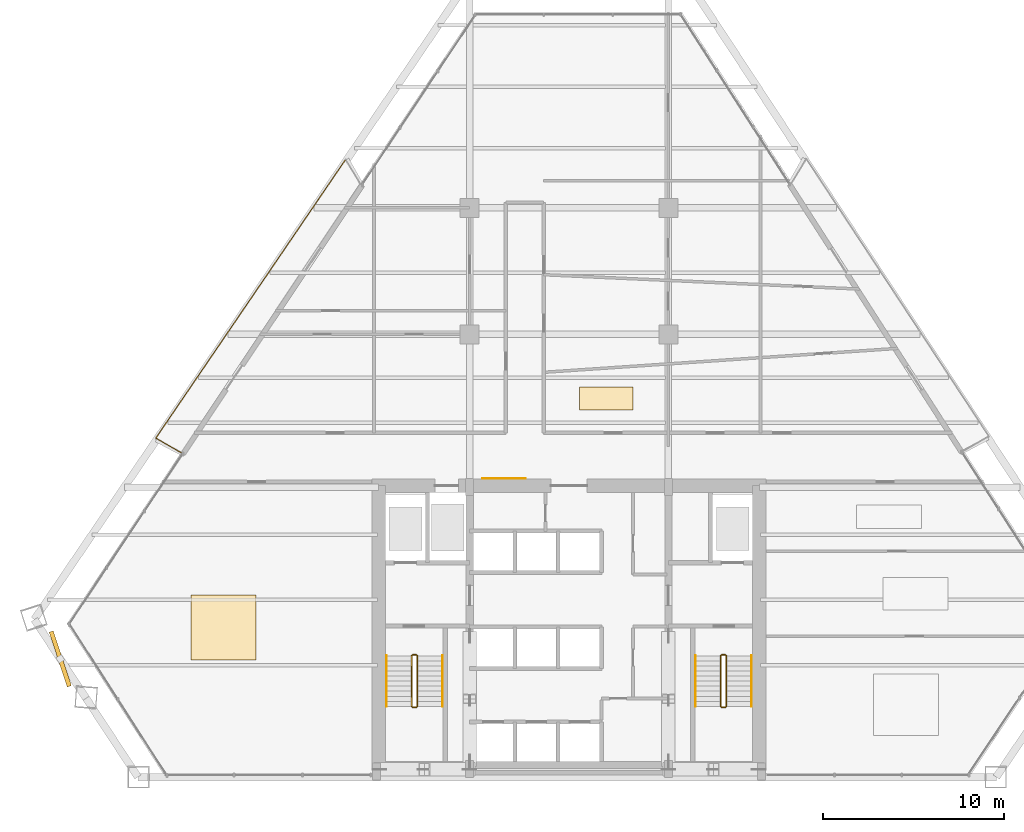
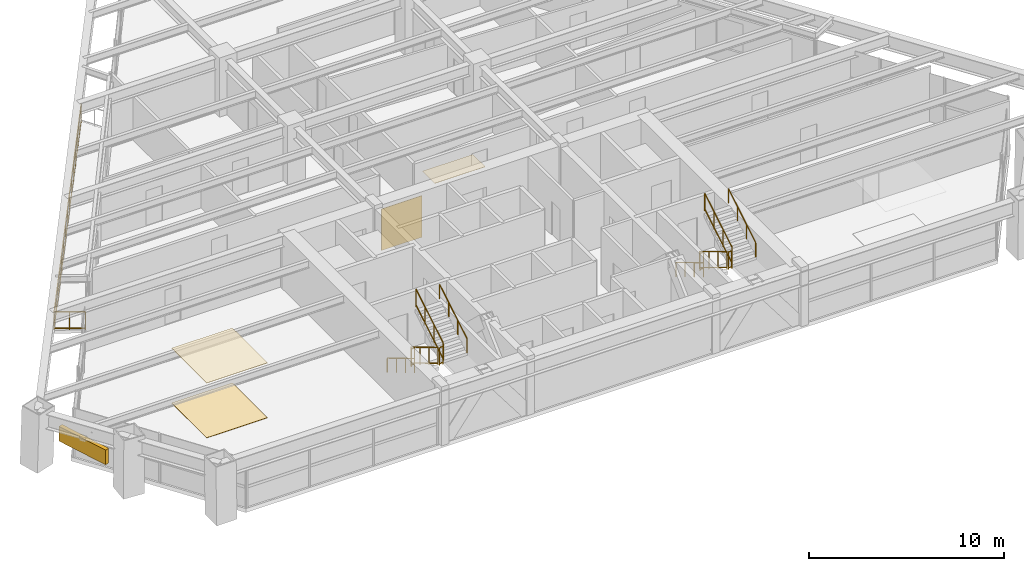
# One storey, part 13 of 15: 14 railings, 4 coverings, 1 shading device.
"""IFC4 building model written with IfcOpenShell, lengths in metres."""

from ifc_helpers import new_model, si_unit, direction, frame, origin, origin_2d, place, context, subcontext, project, spatial, rectangle, extrude, source, transform, mapped, material, layer, layer_set, type_object, type_shapes, element, save


model = new_model("IFC4")

# Units and contexts
model_context = context("Model", 3, precision=1e-05, world=origin(), true_north=direction((0.0, 1.0)))
body_context = subcontext(model_context, "Body", "Model", "MODEL_VIEW")
ifc_project = project(units=[si_unit("LENGTHUNIT", "METRE"), si_unit("AREAUNIT", "SQUARE_METRE"), si_unit("VOLUMEUNIT", "CUBIC_METRE"), si_unit("PLANEANGLEUNIT", "RADIAN"), si_unit("MASSUNIT", "GRAM", prefix="KILO")], contexts=[model_context])

# Site, building, storey
site_placement = place(None, origin())
site = spatial("IfcSite", under=ifc_project, at=site_placement, CompositionType="ELEMENT")
building_placement = place(site_placement, origin())
building = spatial("IfcBuilding", under=site, at=building_placement, Name="Varnakhor Terracotta Tower", CompositionType="ELEMENT")
storey_placement = place(building_placement, frame((0.0, 0.0, 109.89990234375)))
storey = spatial("IfcBuildingStorey", under=building, at=storey_placement, Name="L27", CompositionType="ELEMENT", Elevation=109.89990234375)

# Railings
ifc_material_1 = material(Name="Stainless Steel & Laminated Glass Guardrail", Category="steel")
railing_type_1 = type_object("IfcRailingType", Name="RLG-LOGGIA-GUARD-1150", PredefinedType="GUARDRAIL", material=ifc_material_1)
railing_1_placement = place(storey_placement, frame((-21.47900390625, 17.956298828125, 0.0)))
element("IfcRailing", 1, at=railing_1_placement, inside=storey, type_object=railing_type_1, Name="L27 W Loggia Glass Guard 1", PredefinedType="GUARDRAIL", context=body_context, shape_type="SweptSolid", body=[
    extrude(rectangle(XDim=0.048095703125, YDim=0.048095703125, at=origin_2d()), frame((0.0, 0.0, 1.1259765625), z_axis=(-0.865901693181, 0.50021421186, 0.0), x_axis=(-0.50021421186, -0.865901693181, 0.0)), (0.0, 0.0, 1.0), 1.604248046875),
    extrude(rectangle(XDim=0.048095703125, YDim=0.048095703125, at=origin_2d()), frame((0.0, 0.0, 0.10009765625), z_axis=(-0.865901693181, 0.50021421186, 0.0), x_axis=(-0.50021421186, -0.865901693181, 0.0)), (0.0, 0.0, 1.0), 1.604248046875),
    extrude(rectangle(XDim=0.0419921875, YDim=0.0419921875, at=origin_2d()), origin(), (0.0, 0.0, 1.0), 1.101806640625),
    extrude(rectangle(XDim=0.0419921875, YDim=0.0419921875, at=origin_2d()), frame((-0.694580078125, 0.4013671875, 0.0)), (0.0, 0.0, 1.0), 1.101806640625),
    extrude(rectangle(XDim=0.0419921875, YDim=0.0419921875, at=origin_2d()), frame((-1.38916015625, 0.802490234375, 0.0)), (0.0, 0.0, 1.0), 1.101806640625),
])
railing_2_placement = place(storey_placement, frame((-22.8681640625, 18.7587890625, 0.0)))
element("IfcRailing", 2, at=railing_2_placement, inside=storey, type_object=railing_type_1, Name="L27 W Loggia Glass Guard 2", PredefinedType="GUARDRAIL", context=body_context, shape_type="SweptSolid", body=[
    extrude(rectangle(XDim=0.048095703125, YDim=0.048095703125, at=origin_2d()), frame((0.0, 0.0, 1.1259765625), z_axis=(0.562995941136, 0.826459660398, 0.0), x_axis=(-0.826459660398, 0.562995941136, 0.0)), (0.0, 0.0, 1.0), 18.64794921875),
    extrude(rectangle(XDim=0.048095703125, YDim=0.048095703125, at=origin_2d()), frame((0.0, 0.0, 0.10009765625), z_axis=(0.562995941136, 0.826459660398, 0.0), x_axis=(-0.826459660398, 0.562995941136, 0.0)), (0.0, 0.0, 1.0), 18.64794921875),
    extrude(rectangle(XDim=0.0419921875, YDim=0.0419921875, at=origin_2d()), origin(), (0.0, 0.0, 1.0), 1.101806640625),
    extrude(rectangle(XDim=0.0419921875, YDim=0.0419921875, at=origin_2d()), frame((0.75, 1.100830078125, 0.0)), (0.0, 0.0, 1.0), 1.101806640625),
    extrude(rectangle(XDim=0.0419921875, YDim=0.0419921875, at=origin_2d()), frame((1.499755859375, 2.20166015625, 0.0)), (0.0, 0.0, 1.0), 1.101806640625),
    extrude(rectangle(XDim=0.0419921875, YDim=0.0419921875, at=origin_2d()), frame((2.249755859375, 3.302490234375, 0.0)), (0.0, 0.0, 1.0), 1.101806640625),
    extrude(rectangle(XDim=0.0419921875, YDim=0.0419921875, at=origin_2d()), frame((2.999755859375, 4.4033203125, 0.0)), (0.0, 0.0, 1.0), 1.101806640625),
    extrude(rectangle(XDim=0.0419921875, YDim=0.0419921875, at=origin_2d()), frame((3.74951171875, 5.504150390625, 0.0)), (0.0, 0.0, 1.0), 1.101806640625),
    extrude(rectangle(XDim=0.0419921875, YDim=0.0419921875, at=origin_2d()), frame((4.49951171875, 6.60498046875, 0.0)), (0.0, 0.0, 1.0), 1.101806640625),
    extrude(rectangle(XDim=0.0419921875, YDim=0.0419921875, at=origin_2d()), frame((5.24951171875, 7.7060546875, 0.0)), (0.0, 0.0, 1.0), 1.101806640625),
    extrude(rectangle(XDim=0.0419921875, YDim=0.0419921875, at=origin_2d()), frame((5.999267578125, 8.806884765625, 0.0)), (0.0, 0.0, 1.0), 1.101806640625),
    extrude(rectangle(XDim=0.0419921875, YDim=0.0419921875, at=origin_2d()), frame((6.749267578125, 9.90771484375, 0.0)), (0.0, 0.0, 1.0), 1.101806640625),
    extrude(rectangle(XDim=0.0419921875, YDim=0.0419921875, at=origin_2d()), frame((7.4990234375, 11.008544921875, 0.0)), (0.0, 0.0, 1.0), 1.101806640625),
    extrude(rectangle(XDim=0.0419921875, YDim=0.0419921875, at=origin_2d()), frame((8.2490234375, 12.109375, 0.0)), (0.0, 0.0, 1.0), 1.101806640625),
    extrude(rectangle(XDim=0.0419921875, YDim=0.0419921875, at=origin_2d()), frame((8.9990234375, 13.210205078125, 0.0)), (0.0, 0.0, 1.0), 1.101806640625),
    extrude(rectangle(XDim=0.0419921875, YDim=0.0419921875, at=origin_2d()), frame((9.748779296875, 14.31103515625, 0.0)), (0.0, 0.0, 1.0), 1.101806640625),
    extrude(rectangle(XDim=0.0419921875, YDim=0.0419921875, at=origin_2d()), frame((10.498779296875, 15.411865234375, 0.0)), (0.0, 0.0, 1.0), 1.101806640625),
])
ifc_material_2 = material(Name="Painted Steel Stairwell Guardrail", Category="steel")
railing_type_2 = type_object("IfcRailingType", Name="RLG-STAIR-GUARD-1120", PredefinedType="GUARDRAIL", material=ifc_material_2)
railing_3_placement = place(storey_placement, frame((-8.699951171875, 6.7099609375, 0.168212890625)))
element("IfcRailing", 3, at=railing_3_placement, inside=storey, type_object=railing_type_2, Name="L27 ST-1 stair guard 1", PredefinedType="GUARDRAIL", context=body_context, shape_type="SweptSolid", body=[
    extrude(rectangle(XDim=0.048095703125, YDim=0.048095703125, at=origin_2d()), frame((0.0, 0.0, 1.09619140625), z_axis=(0.0, -0.857242210791, 0.514913383045), x_axis=(1.0, 0.0, 0.0)), (0.0, 0.0, 1.0), 3.266357421875),
    extrude(rectangle(XDim=0.048095703125, YDim=0.048095703125, at=origin_2d()), frame((0.0, 0.0, 0.10009765625), z_axis=(0.0, -0.857242210791, 0.514913383045), x_axis=(1.0, 0.0, 0.0)), (0.0, 0.0, 1.0), 3.266357421875),
    extrude(rectangle(XDim=0.0419921875, YDim=0.0419921875, at=origin_2d()), origin(), (0.0, 0.0, 1.0), 1.072021484375),
    extrude(rectangle(XDim=0.0419921875, YDim=0.0419921875, at=origin_2d()), frame((0.0, -0.933349609375, 0.560546875)), (0.0, 0.0, 1.0), 1.072021484375),
    extrude(rectangle(XDim=0.0419921875, YDim=0.0419921875, at=origin_2d()), frame((0.0, -1.86669921875, 1.121337890625)), (0.0, 0.0, 1.0), 1.072021484375),
    extrude(rectangle(XDim=0.0419921875, YDim=0.0419921875, at=origin_2d()), frame((0.0, -2.800048828125, 1.681884765625)), (0.0, 0.0, 1.0), 1.072021484375),
])
railing_4_placement = place(storey_placement, frame((-8.64990234375, 3.860107421875, 1.85009765625)))
element("IfcRailing", 4, at=railing_4_placement, inside=storey, type_object=railing_type_2, Name="L27 ST-1 stair guard 2", PredefinedType="GUARDRAIL", context=body_context, shape_type="SweptSolid", body=[
    extrude(rectangle(XDim=0.048095703125, YDim=0.048095703125, at=origin_2d()), frame((0.0, 0.0, 1.09619140625), z_axis=(1.0, 0.0, 0.0), x_axis=(0.0, 1.0, 0.0)), (0.0, 0.0, 1.0), 0.199951171875),
    extrude(rectangle(XDim=0.048095703125, YDim=0.048095703125, at=origin_2d()), frame((0.0, 0.0, 0.10009765625), z_axis=(1.0, 0.0, 0.0), x_axis=(0.0, 1.0, 0.0)), (0.0, 0.0, 1.0), 0.199951171875),
    extrude(rectangle(XDim=0.0419921875, YDim=0.0419921875, at=origin_2d()), origin(), (0.0, 0.0, 1.0), 1.072021484375),
    extrude(rectangle(XDim=0.0419921875, YDim=0.0419921875, at=origin_2d()), frame((0.199951171875, 0.0, 0.0)), (0.0, 0.0, 1.0), 1.072021484375),
])
railing_5_placement = place(storey_placement, frame((-8.39990234375, 3.909912109375, 2.018310546875)))
element("IfcRailing", 5, at=railing_5_placement, inside=storey, type_object=railing_type_2, Name="L27 ST-1 stair guard 3", PredefinedType="GUARDRAIL", context=body_context, shape_type="SweptSolid", body=[
    extrude(rectangle(XDim=0.048095703125, YDim=0.048095703125, at=origin_2d()), frame((0.0, 0.0, 1.09619140625), z_axis=(0.0, 0.857242210791, 0.514913383045), x_axis=(-1.0, 0.0, 0.0)), (0.0, 0.0, 1.0), 3.266357421875),
    extrude(rectangle(XDim=0.048095703125, YDim=0.048095703125, at=origin_2d()), frame((0.0, 0.0, 0.10009765625), z_axis=(0.0, 0.857242210791, 0.514913383045), x_axis=(-1.0, 0.0, 0.0)), (0.0, 0.0, 1.0), 3.266357421875),
    extrude(rectangle(XDim=0.0419921875, YDim=0.0419921875, at=origin_2d()), origin(), (0.0, 0.0, 1.0), 1.072021484375),
    extrude(rectangle(XDim=0.0419921875, YDim=0.0419921875, at=origin_2d()), frame((0.0, 0.933349609375, 0.560546875)), (0.0, 0.0, 1.0), 1.072021484375),
    extrude(rectangle(XDim=0.0419921875, YDim=0.0419921875, at=origin_2d()), frame((0.0, 1.86669921875, 1.121337890625)), (0.0, 0.0, 1.0), 1.072021484375),
    extrude(rectangle(XDim=0.0419921875, YDim=0.0419921875, at=origin_2d()), frame((0.0, 2.800048828125, 1.681884765625)), (0.0, 0.0, 1.0), 1.072021484375),
])
railing_6_placement = place(storey_placement, frame((-8.64990234375, 6.760009765625, 0.0)))
element("IfcRailing", 6, at=railing_6_placement, inside=storey, type_object=railing_type_2, Name="L27 ST-1 stair guard 4", PredefinedType="GUARDRAIL", context=body_context, shape_type="SweptSolid", body=[
    extrude(rectangle(XDim=0.048095703125, YDim=0.048095703125, at=origin_2d()), frame((0.0, 0.0, 1.09619140625), z_axis=(1.0, 0.0, 0.0), x_axis=(0.0, 1.0, 0.0)), (0.0, 0.0, 1.0), 0.199951171875),
    extrude(rectangle(XDim=0.048095703125, YDim=0.048095703125, at=origin_2d()), frame((0.0, 0.0, 0.10009765625), z_axis=(1.0, 0.0, 0.0), x_axis=(0.0, 1.0, 0.0)), (0.0, 0.0, 1.0), 0.199951171875),
    extrude(rectangle(XDim=0.0419921875, YDim=0.0419921875, at=origin_2d()), origin(), (0.0, 0.0, 1.0), 1.072021484375),
    extrude(rectangle(XDim=0.0419921875, YDim=0.0419921875, at=origin_2d()), frame((0.199951171875, 0.0, 0.0)), (0.0, 0.0, 1.0), 1.072021484375),
])
railing_7_placement = place(storey_placement, frame((8.39990234375, 6.7099609375, 0.168212890625)))
element("IfcRailing", 7, at=railing_7_placement, inside=storey, type_object=railing_type_2, Name="L27 ST-2 stair guard 1", PredefinedType="GUARDRAIL", context=body_context, shape_type="SweptSolid", body=[
    extrude(rectangle(XDim=0.048095703125, YDim=0.048095703125, at=origin_2d()), frame((0.0, 0.0, 1.09619140625), z_axis=(0.0, -0.857242210791, 0.514913383045), x_axis=(1.0, 0.0, 0.0)), (0.0, 0.0, 1.0), 3.266357421875),
    extrude(rectangle(XDim=0.048095703125, YDim=0.048095703125, at=origin_2d()), frame((0.0, 0.0, 0.10009765625), z_axis=(0.0, -0.857242210791, 0.514913383045), x_axis=(1.0, 0.0, 0.0)), (0.0, 0.0, 1.0), 3.266357421875),
    extrude(rectangle(XDim=0.0419921875, YDim=0.0419921875, at=origin_2d()), origin(), (0.0, 0.0, 1.0), 1.072021484375),
    extrude(rectangle(XDim=0.0419921875, YDim=0.0419921875, at=origin_2d()), frame((0.0, -0.933349609375, 0.560546875)), (0.0, 0.0, 1.0), 1.072021484375),
    extrude(rectangle(XDim=0.0419921875, YDim=0.0419921875, at=origin_2d()), frame((0.0, -1.86669921875, 1.121337890625)), (0.0, 0.0, 1.0), 1.072021484375),
    extrude(rectangle(XDim=0.0419921875, YDim=0.0419921875, at=origin_2d()), frame((0.0, -2.800048828125, 1.681884765625)), (0.0, 0.0, 1.0), 1.072021484375),
])
railing_8_placement = place(storey_placement, frame((8.449951171875, 3.860107421875, 1.85009765625)))
element("IfcRailing", 8, at=railing_8_placement, inside=storey, type_object=railing_type_2, Name="L27 ST-2 stair guard 2", PredefinedType="GUARDRAIL", context=body_context, shape_type="SweptSolid", body=[
    extrude(rectangle(XDim=0.048095703125, YDim=0.048095703125, at=origin_2d()), frame((0.0, 0.0, 1.09619140625), z_axis=(1.0, 0.0, 0.0), x_axis=(0.0, 1.0, 0.0)), (0.0, 0.0, 1.0), 0.199951171875),
    extrude(rectangle(XDim=0.048095703125, YDim=0.048095703125, at=origin_2d()), frame((0.0, 0.0, 0.10009765625), z_axis=(1.0, 0.0, 0.0), x_axis=(0.0, 1.0, 0.0)), (0.0, 0.0, 1.0), 0.199951171875),
    extrude(rectangle(XDim=0.0419921875, YDim=0.0419921875, at=origin_2d()), origin(), (0.0, 0.0, 1.0), 1.072021484375),
    extrude(rectangle(XDim=0.0419921875, YDim=0.0419921875, at=origin_2d()), frame((0.199951171875, 0.0, 0.0)), (0.0, 0.0, 1.0), 1.072021484375),
])
railing_9_placement = place(storey_placement, frame((8.699951171875, 3.909912109375, 2.018310546875)))
element("IfcRailing", 9, at=railing_9_placement, inside=storey, type_object=railing_type_2, Name="L27 ST-2 stair guard 3", PredefinedType="GUARDRAIL", context=body_context, shape_type="SweptSolid", body=[
    extrude(rectangle(XDim=0.048095703125, YDim=0.048095703125, at=origin_2d()), frame((0.0, 0.0, 1.09619140625), z_axis=(0.0, 0.857242210791, 0.514913383045), x_axis=(-1.0, 0.0, 0.0)), (0.0, 0.0, 1.0), 3.266357421875),
    extrude(rectangle(XDim=0.048095703125, YDim=0.048095703125, at=origin_2d()), frame((0.0, 0.0, 0.10009765625), z_axis=(0.0, 0.857242210791, 0.514913383045), x_axis=(-1.0, 0.0, 0.0)), (0.0, 0.0, 1.0), 3.266357421875),
    extrude(rectangle(XDim=0.0419921875, YDim=0.0419921875, at=origin_2d()), origin(), (0.0, 0.0, 1.0), 1.072021484375),
    extrude(rectangle(XDim=0.0419921875, YDim=0.0419921875, at=origin_2d()), frame((0.0, 0.933349609375, 0.560546875)), (0.0, 0.0, 1.0), 1.072021484375),
    extrude(rectangle(XDim=0.0419921875, YDim=0.0419921875, at=origin_2d()), frame((0.0, 1.86669921875, 1.121337890625)), (0.0, 0.0, 1.0), 1.072021484375),
    extrude(rectangle(XDim=0.0419921875, YDim=0.0419921875, at=origin_2d()), frame((0.0, 2.800048828125, 1.681884765625)), (0.0, 0.0, 1.0), 1.072021484375),
])
railing_10_placement = place(storey_placement, frame((8.449951171875, 6.760009765625, 0.0)))
element("IfcRailing", 10, at=railing_10_placement, inside=storey, type_object=railing_type_2, Name="L27 ST-2 stair guard 4", PredefinedType="GUARDRAIL", context=body_context, shape_type="SweptSolid", body=[
    extrude(rectangle(XDim=0.048095703125, YDim=0.048095703125, at=origin_2d()), frame((0.0, 0.0, 1.09619140625), z_axis=(1.0, 0.0, 0.0), x_axis=(0.0, 1.0, 0.0)), (0.0, 0.0, 1.0), 0.199951171875),
    extrude(rectangle(XDim=0.048095703125, YDim=0.048095703125, at=origin_2d()), frame((0.0, 0.0, 0.10009765625), z_axis=(1.0, 0.0, 0.0), x_axis=(0.0, 1.0, 0.0)), (0.0, 0.0, 1.0), 0.199951171875),
    extrude(rectangle(XDim=0.0419921875, YDim=0.0419921875, at=origin_2d()), origin(), (0.0, 0.0, 1.0), 1.072021484375),
    extrude(rectangle(XDim=0.0419921875, YDim=0.0419921875, at=origin_2d()), frame((0.199951171875, 0.0, 0.0)), (0.0, 0.0, 1.0), 1.072021484375),
])
ifc_material_3 = material(Name="Brushed Stainless Steel Handrail", Category="steel")
railing_type_3 = type_object("IfcRailingType", Name="RLG-STAIR-HANDRAIL-920", PredefinedType="HANDRAIL", material=ifc_material_3)
railing_11_placement = place(storey_placement, frame((-10.10009765625, 6.7099609375, 0.168212890625)))
element("IfcRailing", 11, at=railing_11_placement, inside=storey, type_object=railing_type_3, Name="L27 ST-1 stair handrail 1", PredefinedType="HANDRAIL", context=body_context, shape_type="SweptSolid", body=[
    extrude(rectangle(XDim=0.048095703125, YDim=0.048095703125, at=origin_2d()), frame((0.0, 0.0, 0.89599609375), z_axis=(0.0, -0.857242210791, 0.514913383045), x_axis=(1.0, 0.0, 0.0)), (0.0, 0.0, 1.0), 3.266357421875),
    extrude(rectangle(XDim=0.0419921875, YDim=0.0419921875, at=origin_2d()), origin(), (0.0, 0.0, 1.0), 0.871826171875),
    extrude(rectangle(XDim=0.0419921875, YDim=0.0419921875, at=origin_2d()), frame((0.0, -0.933349609375, 0.560546875)), (0.0, 0.0, 1.0), 0.871826171875),
    extrude(rectangle(XDim=0.0419921875, YDim=0.0419921875, at=origin_2d()), frame((0.0, -1.86669921875, 1.121337890625)), (0.0, 0.0, 1.0), 0.871826171875),
    extrude(rectangle(XDim=0.0419921875, YDim=0.0419921875, at=origin_2d()), frame((0.0, -2.800048828125, 1.681884765625)), (0.0, 0.0, 1.0), 0.871826171875),
])
railing_12_placement = place(storey_placement, frame((-7.0, 3.909912109375, 2.018310546875)))
element("IfcRailing", 12, at=railing_12_placement, inside=storey, type_object=railing_type_3, Name="L27 ST-1 stair handrail 2", PredefinedType="HANDRAIL", context=body_context, shape_type="SweptSolid", body=[
    extrude(rectangle(XDim=0.048095703125, YDim=0.048095703125, at=origin_2d()), frame((0.0, 0.0, 0.89599609375), z_axis=(0.0, 0.857242210791, 0.514913383045), x_axis=(-1.0, 0.0, 0.0)), (0.0, 0.0, 1.0), 3.266357421875),
    extrude(rectangle(XDim=0.0419921875, YDim=0.0419921875, at=origin_2d()), origin(), (0.0, 0.0, 1.0), 0.871826171875),
    extrude(rectangle(XDim=0.0419921875, YDim=0.0419921875, at=origin_2d()), frame((0.0, 0.933349609375, 0.560546875)), (0.0, 0.0, 1.0), 0.871826171875),
    extrude(rectangle(XDim=0.0419921875, YDim=0.0419921875, at=origin_2d()), frame((0.0, 1.86669921875, 1.121337890625)), (0.0, 0.0, 1.0), 0.871826171875),
    extrude(rectangle(XDim=0.0419921875, YDim=0.0419921875, at=origin_2d()), frame((0.0, 2.800048828125, 1.681884765625)), (0.0, 0.0, 1.0), 0.871826171875),
])
railing_13_placement = place(storey_placement, frame((7.0, 6.7099609375, 0.168212890625)))
element("IfcRailing", 13, at=railing_13_placement, inside=storey, type_object=railing_type_3, Name="L27 ST-2 stair handrail 1", PredefinedType="HANDRAIL", context=body_context, shape_type="SweptSolid", body=[
    extrude(rectangle(XDim=0.048095703125, YDim=0.048095703125, at=origin_2d()), frame((0.0, 0.0, 0.89599609375), z_axis=(0.0, -0.857242210791, 0.514913383045), x_axis=(1.0, 0.0, 0.0)), (0.0, 0.0, 1.0), 3.266357421875),
    extrude(rectangle(XDim=0.0419921875, YDim=0.0419921875, at=origin_2d()), origin(), (0.0, 0.0, 1.0), 0.871826171875),
    extrude(rectangle(XDim=0.0419921875, YDim=0.0419921875, at=origin_2d()), frame((0.0, -0.933349609375, 0.560546875)), (0.0, 0.0, 1.0), 0.871826171875),
    extrude(rectangle(XDim=0.0419921875, YDim=0.0419921875, at=origin_2d()), frame((0.0, -1.86669921875, 1.121337890625)), (0.0, 0.0, 1.0), 0.871826171875),
    extrude(rectangle(XDim=0.0419921875, YDim=0.0419921875, at=origin_2d()), frame((0.0, -2.800048828125, 1.681884765625)), (0.0, 0.0, 1.0), 0.871826171875),
])
railing_14_placement = place(storey_placement, frame((10.10009765625, 3.909912109375, 2.018310546875)))
element("IfcRailing", 14, at=railing_14_placement, inside=storey, type_object=railing_type_3, Name="L27 ST-2 stair handrail 2", PredefinedType="HANDRAIL", context=body_context, shape_type="SweptSolid", body=[
    extrude(rectangle(XDim=0.048095703125, YDim=0.048095703125, at=origin_2d()), frame((0.0, 0.0, 0.89599609375), z_axis=(0.0, 0.857242210791, 0.514913383045), x_axis=(-1.0, 0.0, 0.0)), (0.0, 0.0, 1.0), 3.266357421875),
    extrude(rectangle(XDim=0.0419921875, YDim=0.0419921875, at=origin_2d()), origin(), (0.0, 0.0, 1.0), 0.871826171875),
    extrude(rectangle(XDim=0.0419921875, YDim=0.0419921875, at=origin_2d()), frame((0.0, 0.933349609375, 0.560546875)), (0.0, 0.0, 1.0), 0.871826171875),
    extrude(rectangle(XDim=0.0419921875, YDim=0.0419921875, at=origin_2d()), frame((0.0, 1.86669921875, 1.121337890625)), (0.0, 0.0, 1.0), 0.871826171875),
    extrude(rectangle(XDim=0.0419921875, YDim=0.0419921875, at=origin_2d()), frame((0.0, 2.800048828125, 1.681884765625)), (0.0, 0.0, 1.0), 0.871826171875),
])

# Shading device
ifc_material_4 = material(Name="Extruded Architectural Terracotta Screen", Category="masonry")
shading_device_type = type_object("IfcShadingDeviceType", Name="TERRACOTTA SOLAR SCREEN W", PredefinedType="USERDEFINED", material=ifc_material_4)
shared_shape_1 = source(origin(), body_context, "Body", "SweptSolid", [
    extrude(rectangle(XDim=3.199951171875, YDim=0.239990234375, at=origin_2d()), origin(), (0.0, 0.0, 1.0), 0.919921875),
])
type_shapes(shading_device_type, [shared_shape_1])
shading_device_placement = place(storey_placement, frame((-28.15771484375, 6.5390625, 1.6181640625), z_axis=(0.0, 0.0, 1.0), x_axis=(0.314224435, -0.949348726469, 0.0)))
element("IfcShadingDevice", 15, at=shading_device_placement, inside=storey, type_object=shading_device_type, Name="L27 W Terracotta Solar Screen", ObjectType="SCREEN", PredefinedType="USERDEFINED", context=body_context, shape_type="MappedRepresentation", body=[
    mapped(shared_shape_1, transform((0.0, 0.0, 0.0), scale=1.0)),
])

# Coverings
ifc_material_5 = material(Name="Extruded Architectural Terracotta Cladding", Category="masonry")
ifc_layer_1 = layer(ifc_material_5, 0.044921875, Name="Extruded Architectural Terracotta Cladding")
ifc_layer_set_1 = layer_set([ifc_layer_1], Name="Extruded Architectural Terracotta Cladding")
covering_type_1 = type_object("IfcCoveringType", Name="COV-CLAD-TERRACOTTA", PredefinedType="CLADDING", material=ifc_layer_set_1)
shared_shape_2 = source(origin(), body_context, "Body", "SweptSolid", [
    extrude(rectangle(XDim=2.39990234375, YDim=0.030029296875, at=origin_2d()), origin(), (0.0, 0.0, 1.0), 2.60009765625),
])
type_shapes(covering_type_1, [shared_shape_2])
covering_1_placement = place(storey_placement, frame((-3.60009765625, 16.511962890625, 0.0), z_axis=(0.0, 0.0, 1.0), x_axis=(1.0, 0.0, 0.0)))
element("IfcCovering", 16, at=covering_1_placement, inside=storey, type_object=covering_type_1, Name="L27 Core Lobby Limestone Cladding", PredefinedType="CLADDING", context=body_context, shape_type="MappedRepresentation", body=[
    mapped(shared_shape_2, transform((0.0, 0.0, 0.0), scale=1.0)),
])
ifc_material_6 = material(Name="Honed Riyadh Limestone Flooring", Category="masonry")
ifc_layer_2 = layer(ifc_material_6, 0.030029296875, Name="Honed Riyadh Limestone Flooring")
ifc_layer_set_2 = layer_set([ifc_layer_2], Name="Honed Riyadh Limestone Flooring")
covering_type_2 = type_object("IfcCoveringType", Name="COV-FLOOR-LIMESTONE", PredefinedType="FLOORING", material=ifc_layer_set_2)
shared_shape_3 = source(origin(), body_context, "Body", "SweptSolid", [
    extrude(rectangle(XDim=3.60009765625, YDim=3.60009765625, at=origin_2d()), origin(), (0.0, 0.0, 1.0), 0.02001953125),
])
covering_2_placement = place(storey_placement, frame((-19.126953125, 8.26611328125, 0.0), z_axis=(0.0, 0.0, 1.0), x_axis=(1.0, 0.0, 0.0)))
element("IfcCovering", 17, at=covering_2_placement, inside=storey, type_object=covering_type_2, Name="L27 Honed Stone Flooring 2", PredefinedType="FLOORING", context=body_context, shape_type="MappedRepresentation", body=[
    mapped(shared_shape_3, transform((0.0, 0.0, 0.0), scale=1.0)),
])
ifc_material_7 = material(Name="Perforated Acoustic Mineral-Fibre Ceiling", Category="gypsum")
ifc_layer_3 = layer(ifc_material_7, 0.02490234375, Name="Perforated Acoustic Mineral-Fibre Ceiling")
ifc_layer_set_3 = layer_set([ifc_layer_3], Name="Perforated Acoustic Mineral-Fibre Ceiling")
covering_type_3 = type_object("IfcCoveringType", Name="COV-CEILING-ACOUSTIC", PredefinedType="CEILING", material=ifc_layer_set_3)
shared_shape_4 = source(origin(), body_context, "Body", "SweptSolid", [
    extrude(rectangle(XDim=3.60009765625, YDim=3.60009765625, at=origin_2d()), origin(), (0.0, 0.0, 1.0), 0.02392578125),
])
covering_3_placement = place(storey_placement, frame((-19.126953125, 8.26611328125, 3.426025390625), z_axis=(0.0, 0.0, 1.0), x_axis=(1.0, 0.0, 0.0)))
element("IfcCovering", 18, at=covering_3_placement, inside=storey, type_object=covering_type_3, Name="L27 Acoustic Ceiling Panel 2", PredefinedType="CEILING", context=body_context, shape_type="MappedRepresentation", body=[
    mapped(shared_shape_4, transform((0.0, 0.0, 0.0), scale=1.0)),
])
shared_shape_5 = source(origin(), body_context, "Body", "SweptSolid", [
    extrude(rectangle(XDim=2.98388671875, YDim=1.260009765625, at=origin_2d()), origin(), (0.0, 0.0, 1.0), 0.02001953125),
])
covering_4_placement = place(storey_placement, frame((2.06103515625, 20.944091796875, 0.0), z_axis=(0.0, 0.0, 1.0), x_axis=(1.0, 0.0, 0.0)))
element("IfcCovering", 19, at=covering_4_placement, inside=storey, type_object=covering_type_2, Name="L27 Honed Stone Flooring 5", PredefinedType="FLOORING", context=body_context, shape_type="MappedRepresentation", body=[
    mapped(shared_shape_5, transform((0.0, 0.0, 0.0), scale=1.0)),
])

save(model, "model.ifc")
